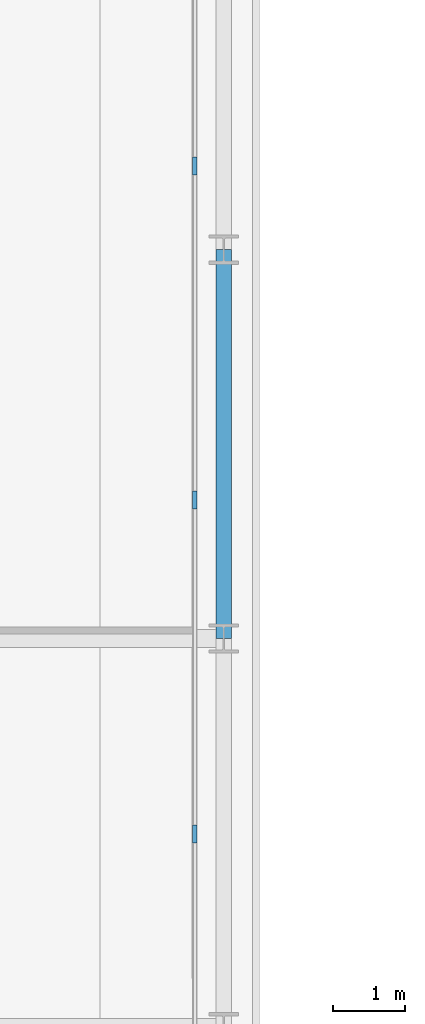
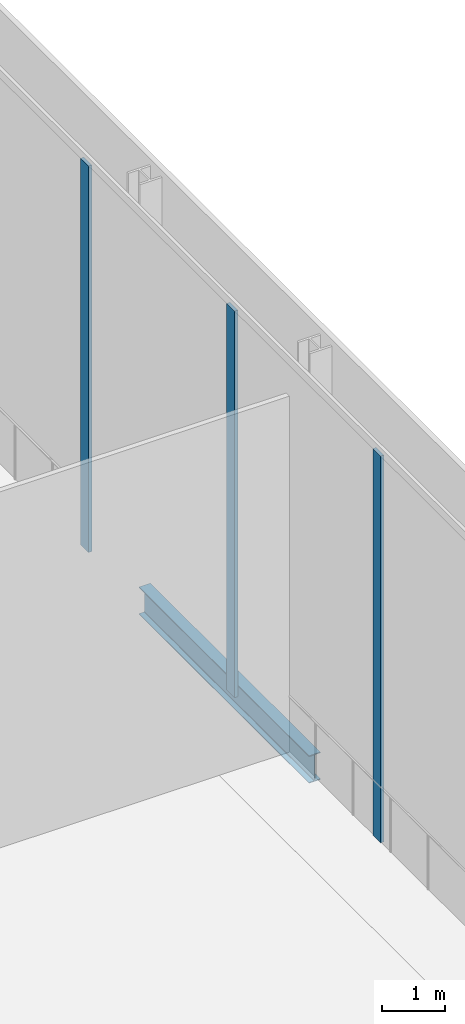
# One storey, part 16 of 38: 3 members, 1 beam, 1 element without a shape of its own.
"""IFC4 building model written with IfcOpenShell, lengths in metres."""

from ifc_helpers import new_model, si_unit, direction, frame, origin, origin_2d, place, context, subcontext, project, spatial, rectangle, i_section, extrude, material, layer, layer_set, material_profile, profile_set, type_object, element, aggregate, save


model = new_model("IFC4")

# Units and contexts
model_context = context("Model", 3, precision=1e-05, world=origin(), true_north=direction((0.0, 1.0)))
body_context = subcontext(model_context, "Body", "Model", "MODEL_VIEW")
ifc_project = project(units=[si_unit("LENGTHUNIT", "METRE"), si_unit("AREAUNIT", "SQUARE_METRE"), si_unit("VOLUMEUNIT", "CUBIC_METRE"), si_unit("PLANEANGLEUNIT", "RADIAN"), si_unit("MASSUNIT", "GRAM", prefix="KILO")], contexts=[model_context])

# Site, building, storey
site_placement = place(None, origin())
site = spatial("IfcSite", under=ifc_project, at=site_placement, CompositionType="ELEMENT")
building_placement = place(site_placement, origin())
building = spatial("IfcBuilding", under=site, at=building_placement, Name="Kheshtan School and Residences Tower", CompositionType="ELEMENT")
storey_placement = place(building_placement, frame((0.0, 0.0, 203.300048828125)))
storey = spatial("IfcBuildingStorey", under=building, at=storey_placement, Name="L48", CompositionType="ELEMENT", Elevation=203.300048828125)

# Beam
ifc_material_1 = material(Name="Steel ASTM A992 Grade 50", Category="steel")
ifc_material_profile_1 = material_profile(ifc_material_1, i_section(OverallWidth=0.208984375, OverallDepth=0.532958984375, WebThickness=0.01025390625, FlangeThickness=0.015625, FilletRadius=0.013916015625, at=origin_2d()), Name="W530x92")
ifc_profile_set_1 = profile_set([ifc_material_profile_1], Name="Steel ASTM A992 Grade 50")
beam_type = type_object("IfcBeamType", Name="Beam SP3 W530x92 ASTM A992 Grade 50", PredefinedType="BEAM", material=ifc_profile_set_1)
beam_placement = place(storey_placement, frame((47.60009765625, 83.39990234375, -0.41650390625), z_axis=(0.0, -1.0, 0.0), x_axis=(1.0, 0.0, 0.0)))
element("IfcBeam", 1, at=beam_placement, inside=storey, type_object=beam_type, Name="Spandrel beam C091-C089", PredefinedType="BEAM", context=body_context, shape_type="SweptSolid", body=[
    extrude(i_section(OverallWidth=0.208984375, OverallDepth=0.532958984375, WebThickness=0.01025390625, FlangeThickness=0.015625, FilletRadius=0.013916015625, at=origin_2d()), origin(), (0.0, 0.0, 1.0), 5.39990234375),
])

# Curtain wall, members
ifc_material_2 = material(Name="Clear low-e glass in thermally broken aluminium frame", Category="aluminium")
ifc_layer = layer(ifc_material_2, 0.25)
ifc_layer_set = layer_set([ifc_layer], Name="Curtain wall CW-K")
curtain_wall_type = type_object("IfcCurtainWallType", Name="Curtain wall CW-K", PredefinedType="NOTDEFINED", material=ifc_layer_set)
curtain_wall_placement = place(storey_placement, origin())
curtain_wall = element("IfcCurtainWall", 2, at=curtain_wall_placement, inside=storey, type_object=curtain_wall_type, Name="Curtain wall CWK24", PredefinedType="NOTDEFINED")
ifc_material_3 = material(Name="Thermally broken aluminium, dark bronze anodised", Category="aluminium")
ifc_material_profile_2 = material_profile(ifc_material_3, rectangle(XDim=0.06005859375, YDim=0.25, at=origin_2d()), Name="CW-K mullion 60x250")
ifc_profile_set_2 = profile_set([ifc_material_profile_2], Name="Thermally broken aluminium, dark bronze anodised")
member_type = type_object("IfcMemberType", Name="CW-K mullion 60x250", PredefinedType="MULLION", material=ifc_profile_set_2)
member_1_placement = place(storey_placement, frame((47.199951171875, 84.560546875, 0.0), z_axis=(0.0, 0.0, 1.0), x_axis=(1.0, 0.0, 0.0)))
member_1 = element("IfcMember", 3, at=member_1_placement, type_object=member_type, Name="CWK24 mullion 4", PredefinedType="MULLION", context=body_context, shape_type="SweptSolid", body=[
    extrude(rectangle(XDim=0.06005859375, YDim=0.25, at=origin_2d()), origin(), (0.0, 0.0, 1.0), 7.489990234375),
])
member_2_placement = place(storey_placement, frame((47.199951171875, 79.924072265625, 0.0), z_axis=(0.0, 0.0, 1.0), x_axis=(1.0, 0.0, 0.0)))
member_2 = element("IfcMember", 4, at=member_2_placement, type_object=member_type, Name="CWK24 mullion 5", PredefinedType="MULLION", context=body_context, shape_type="SweptSolid", body=[
    extrude(rectangle(XDim=0.06005859375, YDim=0.25, at=origin_2d()), origin(), (0.0, 0.0, 1.0), 7.489990234375),
])
member_3_placement = place(storey_placement, frame((47.199951171875, 75.287841796875, 0.0), z_axis=(0.0, 0.0, 1.0), x_axis=(1.0, 0.0, 0.0)))
member_3 = element("IfcMember", 5, at=member_3_placement, type_object=member_type, Name="CWK24 mullion 6", PredefinedType="MULLION", context=body_context, shape_type="SweptSolid", body=[
    extrude(rectangle(XDim=0.06005859375, YDim=0.25, at=origin_2d()), origin(), (0.0, 0.0, 1.0), 7.489990234375),
])
aggregate(curtain_wall, [member_1, member_2, member_3])

save(model, "model.ifc")
